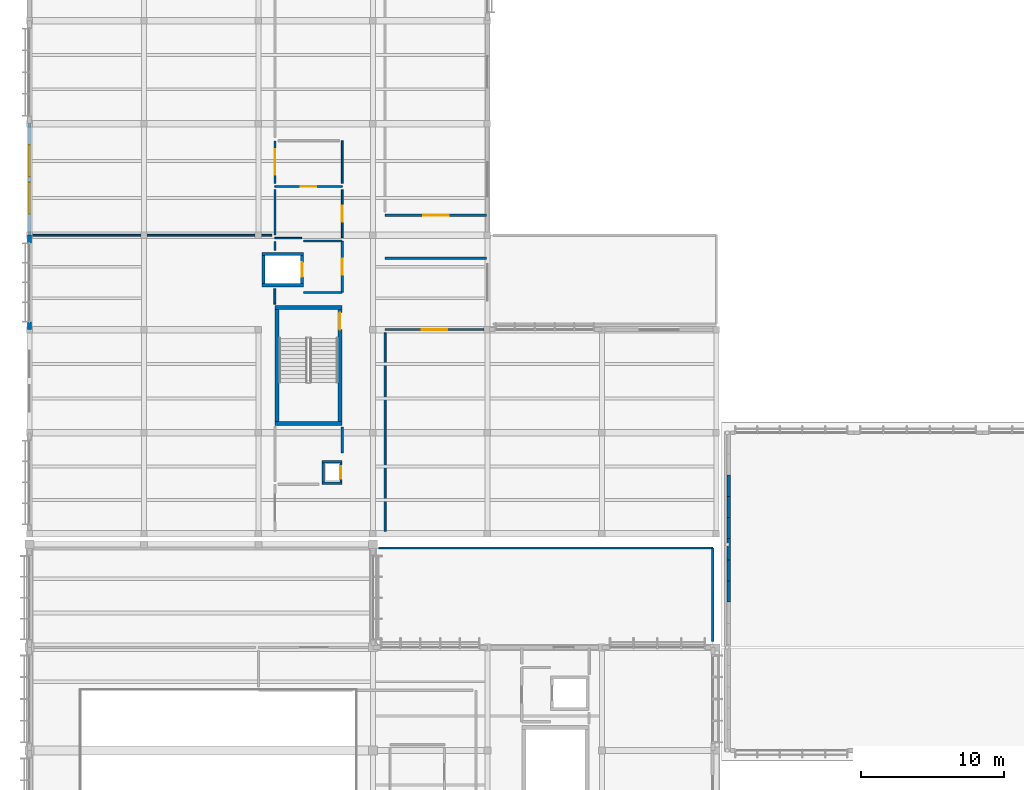
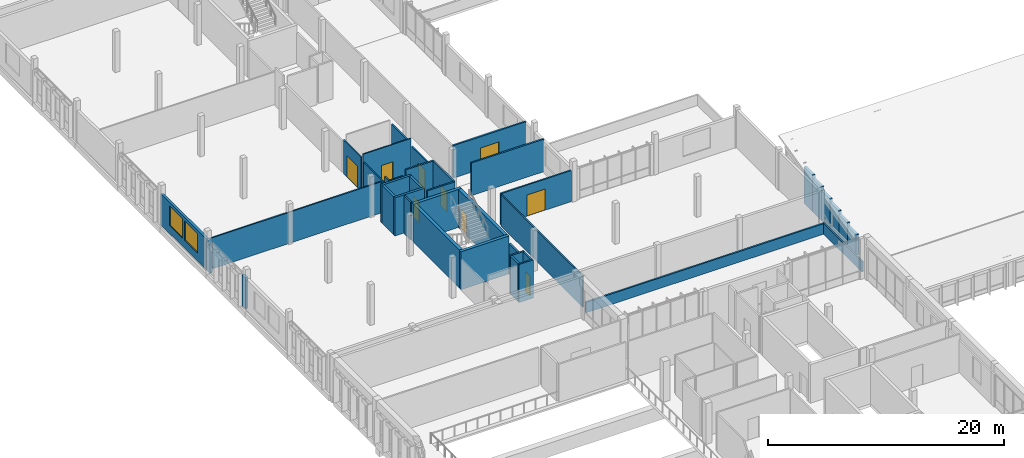
# One storey, part 162 of 182: 40 walls, 9 doors, 2 windows, 11 openings.
"""IFC4 building model written with IfcOpenShell, lengths in metres."""

from ifc_helpers import new_model, si_unit, direction, frame, frame_2d, origin, place, context, subcontext, project, spatial, rectangle, extrude, material, layer, layer_set, type_object, element, fill, save


model = new_model("IFC4")

# Units and contexts
model_context = context("Model", 3, precision=1e-05, world=origin(), true_north=direction((0.0, 1.0)))
body_context = subcontext(model_context, "Body", "Model", "MODEL_VIEW")
ifc_project = project(units=[si_unit("LENGTHUNIT", "METRE"), si_unit("AREAUNIT", "SQUARE_METRE"), si_unit("VOLUMEUNIT", "CUBIC_METRE"), si_unit("PLANEANGLEUNIT", "RADIAN"), si_unit("MASSUNIT", "GRAM", prefix="KILO")], contexts=[model_context])

# Site, building, storey
site_placement = place(None, origin())
site = spatial("IfcSite", under=ifc_project, at=site_placement, CompositionType="ELEMENT")
building_placement = place(site_placement, origin())
building = spatial("IfcBuilding", under=site, at=building_placement, Name="Chiffa Square Polytechnic", CompositionType="ELEMENT")
storey_placement = place(building_placement, frame((0.0, 0.0, 9.60009765625)))
storey = spatial("IfcBuildingStorey", under=building, at=storey_placement, Name="L02", CompositionType="ELEMENT", Elevation=9.60009765625)

# Walls
ifc_material_1 = material(Name="Concrete C40/50", Category="concrete")
ifc_layer_1 = layer(ifc_material_1, 0.300048828125, Name="Concrete C40/50")
ifc_layer_set_1 = layer_set([ifc_layer_1], Name="Concrete C40/50")
wall_type_1 = type_object("IfcWallType", Name="WL-CORE-300", PredefinedType="SHEAR", material=ifc_layer_set_1)
for number, where, z_axis, x_axis, name in (
    (1, (17.14990234375, 44.449951171875, 0.0), (0.0, 0.0, 1.0), (1.0, 0.0, 0.0), "Core or enclosure wall WC-CORE-V6A-L02-SOUTH"),
    (2, (17.14990234375, 52.550048828125, 0.0), (0.0, 0.0, 1.0), (1.0, 0.0, 0.0), "Core or enclosure wall WC-CORE-V6A-L02-NORTH"),
):
    element("IfcWall", number, at=place(storey_placement, frame(where, z_axis=z_axis, x_axis=x_axis)), inside=storey, type_object=wall_type_1, Name=name, PredefinedType="SHEAR", context=body_context, shape_type="SweptSolid", body=[
        extrude(rectangle(XDim=4.7001953125, YDim=0.300048828125, at=frame_2d((2.35009765625, 0.0))), origin(), (0.0, 0.0, 1.0), 3.93994140625),
    ])
wall_1_placement = place(storey_placement, frame((17.300048828125, 44.60009765625, 0.0), z_axis=(0.0, 0.0, 1.0), x_axis=(0.0, 1.0, 0.0)))
element("IfcWall", 3, at=wall_1_placement, inside=storey, type_object=wall_type_1, Name="Core or enclosure wall WC-CORE-V6A-L02-WEST", PredefinedType="SHEAR", context=body_context, shape_type="SweptSolid", body=[
    extrude(rectangle(XDim=7.7998046875, YDim=0.300048828125, at=frame_2d((3.89990234375, 0.0))), origin(), (0.0, 0.0, 1.0), 3.93994140625),
])

# Wall, opening, door
wall_2_placement = place(storey_placement, frame((21.699951171875, 44.60009765625, 0.0), z_axis=(0.0, 0.0, 1.0), x_axis=(0.0, 1.0, 0.0)))
wall_2 = element("IfcWall", 4, at=wall_2_placement, inside=storey, type_object=wall_type_1, Name="Core or enclosure wall WC-CORE-V6A-L02-EAST", PredefinedType="SHEAR", context=body_context, shape_type="SweptSolid", body=[
    extrude(rectangle(XDim=7.7998046875, YDim=0.300048828125, at=frame_2d((3.89990234375, 0.0))), origin(), (0.0, 0.0, 1.0), 3.93994140625),
])
opening_1_placement = place(wall_2_placement, frame((6.39990234375, 0.0, 0.0)))
opening_1 = element("IfcOpeningElement", 5, at=opening_1_placement, cuts=wall_2, Name="Opening DS-L02-049", PredefinedType="OPENING", context=body_context, shape_type="SweptSolid", body=[
    extrude(rectangle(XDim=1.199951171875, YDim=2.14990234375, at=frame_2d((0.60009765625, 1.074951171875))), frame((0.0, 0.16015625, 0.0), z_axis=(0.0, -1.0, 0.0), x_axis=(1.0, 0.0, 0.0)), (0.0, 0.0, 1.0), 0.320068359375),
])
ifc_material_2 = material(Name="Fire-rated painted steel leaf", Category="steel")
door_type_1 = type_object("IfcDoorType", Name="DR-STAIR-1200", OperationType="NOTDEFINED", PredefinedType="DOOR", material=ifc_material_2)
door_1_placement = place(opening_1_placement, origin())
door_1 = element("IfcDoor", 6, at=door_1_placement, inside=storey, type_object=door_type_1, Name="Enclosure door DS-L02-049", OperationType="SINGLE_SWING_LEFT", OverallHeight=2.14990234375, OverallWidth=1.199951171875, PredefinedType="DOOR", context=body_context, shape_type="SweptSolid", body=[
    extrude(rectangle(XDim=1.199951171875, YDim=2.14990234375, at=frame_2d((0.60009765625, 1.074951171875))), frame((0.0, 0.02490234375, 0.0), z_axis=(0.0, -1.0, 0.0), x_axis=(1.0, 0.0, 0.0)), (0.0, 0.0, 1.0), 0.050048828125),
])
fill(opening_1, door_1)

# Wall, openings, windows
ifc_material_3 = material(Name="Precast concrete C40/50", Category="concrete")
ifc_layer_2 = layer(ifc_material_3, 0.239990234375, Name="Precast concrete C40/50")
ifc_layer_set_2 = layer_set([ifc_layer_2], Name="Precast concrete C40/50")
wall_type_2 = type_object("IfcWallType", Name="WL-EXT-PC240", PredefinedType="SOLIDWALL", material=ifc_layer_set_2)
wall_3_placement = place(storey_placement, frame((0.0, 65.39990234375, 0.0), z_axis=(0.0, 0.0, 1.0), x_axis=(0.0, -1.0, 0.0)))
wall_3 = element("IfcWall", 7, at=wall_3_placement, inside=storey, type_object=wall_type_2, Name="Exterior wall WE-V6-L02-0445", PredefinedType="SOLIDWALL", context=body_context, shape_type="SweptSolid", body=[
    extrude(rectangle(XDim=7.7998046875, YDim=0.239990234375, at=frame_2d((3.89990234375, 0.0))), origin(), (0.0, 0.0, 1.0), 3.224853515625),
])
opening_2_placement = place(wall_3_placement, frame((1.5, 0.0, 0.85009765625)))
opening_2 = element("IfcOpeningElement", 8, at=opening_2_placement, cuts=wall_3, Name="Opening W-11", PredefinedType="OPENING", context=body_context, shape_type="SweptSolid", body=[
    extrude(rectangle(XDim=2.199951171875, YDim=2.0, at=frame_2d((1.10009765625, 1.0))), frame((0.0, 0.1298828125, 0.0), z_axis=(0.0, -1.0, 0.0), x_axis=(1.0, 0.0, 0.0)), (0.0, 0.0, 1.0), 0.260009765625),
])
opening_3_placement = place(wall_3_placement, frame((4.10009765625, 0.0, 0.85009765625)))
opening_3 = element("IfcOpeningElement", 9, at=opening_3_placement, cuts=wall_3, Name="Opening W-11", PredefinedType="OPENING", context=body_context, shape_type="SweptSolid", body=[
    extrude(rectangle(XDim=2.199951171875, YDim=2.0, at=frame_2d((1.10009765625, 1.0))), frame((0.0, 0.1298828125, 0.0), z_axis=(0.0, -1.0, 0.0), x_axis=(1.0, 0.0, 0.0)), (0.0, 0.0, 1.0), 0.260009765625),
])
ifc_material_4 = material(Name="Double glazing in thermally broken aluminium frame", Category="aluminium")
window_type = type_object("IfcWindowType", Name="WIN-STD-2200X2000", PartitioningType="DOUBLE_PANEL_VERTICAL", PredefinedType="WINDOW", material=ifc_material_4)
window_1_placement = place(opening_2_placement, origin())
window_1 = element("IfcWindow", 10, at=window_1_placement, inside=storey, type_object=window_type, Name="Facade window WN-L02-0297", OverallHeight=2.0, OverallWidth=2.199951171875, PartitioningType="DOUBLE_PANEL_VERTICAL", PredefinedType="WINDOW", context=body_context, shape_type="SweptSolid", body=[
    extrude(rectangle(XDim=2.199951171875, YDim=2.0, at=frame_2d((1.10009765625, 1.0))), frame((0.0, 0.030029296875, 0.0), z_axis=(0.0, -1.0, 0.0), x_axis=(1.0, 0.0, 0.0)), (0.0, 0.0, 1.0), 0.06005859375),
])
fill(opening_2, window_1)
window_2_placement = place(opening_3_placement, origin())
window_2 = element("IfcWindow", 11, at=window_2_placement, inside=storey, type_object=window_type, Name="Facade window WN-L02-0298", OverallHeight=2.0, OverallWidth=2.199951171875, PartitioningType="DOUBLE_PANEL_VERTICAL", PredefinedType="WINDOW", context=body_context, shape_type="SweptSolid", body=[
    extrude(rectangle(XDim=2.199951171875, YDim=2.0, at=frame_2d((1.10009765625, 1.0))), frame((0.0, 0.030029296875, 0.0), z_axis=(0.0, -1.0, 0.0), x_axis=(1.0, 0.0, 0.0)), (0.0, 0.0, 1.0), 0.06005859375),
])
fill(opening_3, window_2)

# Walls
ifc_layer_3 = layer(ifc_material_3, 0.260009765625, Name="Precast concrete C40/50")
ifc_layer_set_3 = layer_set([ifc_layer_3], Name="Precast concrete C40/50")
wall_type_3 = type_object("IfcWallType", Name="WL-EXT-PC260", PredefinedType="SOLIDWALL", material=ifc_layer_set_3)
for number, where, z_axis, x_axis, name in (
    (12, (0.0, 57.60009765625, 0.0), (0.0, 0.0, 1.0), (0.0, -1.0, 0.0), "Facade column pier V6-L02-0446L"),
    (13, (0.0, 51.5400390625, 0.0), (0.0, 0.0, 1.0), (0.0, -1.0, 0.0), "Facade column pier V6-L02-0446R"),
):
    element("IfcWall", number, at=place(storey_placement, frame(where, z_axis=z_axis, x_axis=x_axis)), inside=storey, type_object=wall_type_3, Name=name, PredefinedType="SOLIDWALL", context=body_context, shape_type="SweptSolid", body=[
        extrude(rectangle(XDim=0.5400390625, YDim=0.260009765625, at=frame_2d((0.27001953125, 0.0))), origin(), (0.0, 0.0, 1.0), 3.224853515625),
    ])
wall_4_placement = place(storey_placement, frame((48.85009765625, 31.9599609375, 0.0), z_axis=(0.0, 0.0, 1.0), x_axis=(0.0, 1.0, 0.0)))
element("IfcWall", 14, at=wall_4_placement, inside=storey, type_object=wall_type_3, Name="Stepped gable infill wall WE-V4-GBL-W-08", PredefinedType="SOLIDWALL", context=body_context, shape_type="SweptSolid", body=[
    extrude(rectangle(XDim=1.47998046875, YDim=0.260009765625, at=frame_2d((0.739990234375, 0.0))), origin(), (0.0, 0.0, 1.0), 2.100830078125),
])
wall_5_placement = place(storey_placement, frame((48.85009765625, 33.43994140625, 0.0), z_axis=(0.0, 0.0, 1.0), x_axis=(0.0, 1.0, 0.0)))
element("IfcWall", 15, at=wall_5_placement, inside=storey, type_object=wall_type_3, Name="Stepped gable infill wall WE-V4-GBL-W-09", PredefinedType="SOLIDWALL", context=body_context, shape_type="SweptSolid", body=[
    extrude(rectangle(XDim=1.47998046875, YDim=0.260009765625, at=frame_2d((0.739990234375, 0.0))), origin(), (0.0, 0.0, 1.0), 2.44189453125),
])
wall_6_placement = place(storey_placement, frame((48.85009765625, 34.919921875, 0.0), z_axis=(0.0, 0.0, 1.0), x_axis=(0.0, 1.0, 0.0)))
element("IfcWall", 16, at=wall_6_placement, inside=storey, type_object=wall_type_3, Name="Stepped gable infill wall WE-V4-GBL-W-10", PredefinedType="SOLIDWALL", context=body_context, shape_type="SweptSolid", body=[
    extrude(rectangle(XDim=1.47998046875, YDim=0.260009765625, at=frame_2d((0.739990234375, 0.0))), origin(), (0.0, 0.0, 1.0), 2.783935546875),
])
wall_7_placement = place(storey_placement, frame((48.85009765625, 36.39990234375, 0.0), z_axis=(0.0, 0.0, 1.0), x_axis=(0.0, 1.0, 0.0)))
element("IfcWall", 17, at=wall_7_placement, inside=storey, type_object=wall_type_3, Name="Stepped gable infill wall WE-V4-GBL-W-11", PredefinedType="SOLIDWALL", context=body_context, shape_type="SweptSolid", body=[
    extrude(rectangle(XDim=1.47998046875, YDim=0.260009765625, at=frame_2d((0.739990234375, 0.0))), origin(), (0.0, 0.0, 1.0), 3.1259765625),
])
wall_8_placement = place(storey_placement, frame((48.85009765625, 37.8798828125, 0.0), z_axis=(0.0, 0.0, 1.0), x_axis=(0.0, 1.0, 0.0)))
element("IfcWall", 18, at=wall_8_placement, inside=storey, type_object=wall_type_3, Name="Stepped gable infill wall WE-V4-GBL-W-12", PredefinedType="SOLIDWALL", context=body_context, shape_type="SweptSolid", body=[
    extrude(rectangle(XDim=1.480224609375, YDim=0.260009765625, at=frame_2d((0.740234375, 0.0))), origin(), (0.0, 0.0, 1.0), 3.468017578125),
])
wall_9_placement = place(storey_placement, frame((48.85009765625, 39.360107421875, 0.0), z_axis=(0.0, 0.0, 1.0), x_axis=(0.0, 1.0, 0.0)))
element("IfcWall", 19, at=wall_9_placement, inside=storey, type_object=wall_type_3, Name="Stepped gable infill wall WE-V4-GBL-W-13", PredefinedType="SOLIDWALL", context=body_context, shape_type="SweptSolid", body=[
    extrude(rectangle(XDim=1.47998046875, YDim=0.260009765625, at=frame_2d((0.739990234375, 0.0))), origin(), (0.0, 0.0, 1.0), 3.808837890625),
])
ifc_layer_4 = layer(ifc_material_3, 0.159912109375, Name="Precast concrete C40/50")
ifc_layer_set_4 = layer_set([ifc_layer_4], Name="Precast concrete C40/50")
wall_type_4 = type_object("IfcWallType", Name="WL-PAR-160", PredefinedType="PARAPET", material=ifc_layer_set_4)
wall_10_placement = place(storey_placement, frame((47.75, 29.199951171875, 0.2998046875), z_axis=(0.0, 0.0, 1.0), x_axis=(0.0, 1.0, 0.0)))
element("IfcWall", 20, at=wall_10_placement, inside=storey, type_object=wall_type_4, Name="Roof parapet PRP-V3-L02-1", PredefinedType="PARAPET", context=body_context, shape_type="SweptSolid", body=[
    extrude(rectangle(XDim=6.550048828125, YDim=0.159912109375, at=frame_2d((3.27490234375, 0.0))), origin(), (0.0, 0.0, 1.0), 1.10009765625),
])
wall_11_placement = place(storey_placement, frame((47.75, 35.75, 0.2998046875), z_axis=(0.0, 0.0, 1.0), x_axis=(-1.0, 0.0, 0.0)))
element("IfcWall", 21, at=wall_11_placement, inside=storey, type_object=wall_type_4, Name="Roof parapet PRP-V3-L02-2", PredefinedType="PARAPET", context=body_context, shape_type="SweptSolid", body=[
    extrude(rectangle(XDim=23.35009765625, YDim=0.159912109375, at=frame_2d((11.675048828125, 0.0))), origin(), (0.0, 0.0, 1.0), 1.10009765625),
])
ifc_material_5 = material(Name="Gypsum board on steel stud", Category="steel")
ifc_layer_5 = layer(ifc_material_5, 0.135009765625, Name="Gypsum board on steel stud")
ifc_layer_set_5 = layer_set([ifc_layer_5], Name="Gypsum board on steel stud")
wall_type_5 = type_object("IfcWallType", Name="WL-PART-135", PredefinedType="PARTITIONING", material=ifc_layer_set_5)
wall_12_placement = place(storey_placement, frame((0.054931640625, 57.60009765625, 0.0), z_axis=(0.0, 0.0, 1.0), x_axis=(1.0, 0.0, 0.0)))
element("IfcWall", 22, at=wall_12_placement, inside=storey, type_object=wall_type_5, Name="Interior partition WP-V6-L02-0454", PredefinedType="PARTITIONING", context=body_context, shape_type="SweptSolid", body=[
    extrude(rectangle(XDim=16.8759765625, YDim=0.135009765625, at=frame_2d((8.43798828125, 0.0))), origin(), (0.0, 0.0, 1.0), 3.224853515625),
])
wall_13_placement = place(storey_placement, frame((24.85009765625, 36.905029296875, 0.0), z_axis=(0.0, 0.0, 1.0), x_axis=(0.0, 1.0, 0.0)))
element("IfcWall", 23, at=wall_13_placement, inside=storey, type_object=wall_type_5, Name="Interior partition WP-V6-L02-0457", PredefinedType="PARTITIONING", context=body_context, shape_type="SweptSolid", body=[
    extrude(rectangle(XDim=13.875, YDim=0.135009765625, at=frame_2d((6.9375, 0.0))), origin(), (0.0, 0.0, 1.0), 3.224853515625),
])
wall_14_placement = place(storey_placement, frame((17.14990234375, 52.7900390625, 0.0), z_axis=(0.0, 0.0, 1.0), x_axis=(0.0, 1.0, 0.0)))
element("IfcWall", 24, at=wall_14_placement, inside=storey, type_object=wall_type_5, Name="Interior partition WP-V6-L02-0463", PredefinedType="PARTITIONING", context=body_context, shape_type="SweptSolid", body=[
    extrude(rectangle(XDim=1.080078125, YDim=0.135009765625, at=frame_2d((0.5400390625, 0.0))), origin(), (0.0, 0.0, 1.0), 3.93994140625),
])

# Wall, opening, door
ifc_layer_6 = layer(ifc_material_5, 0.14501953125, Name="Gypsum board on steel stud")
ifc_layer_set_6 = layer_set([ifc_layer_6], Name="Gypsum board on steel stud")
wall_type_6 = type_object("IfcWallType", Name="WL-PART-145", PredefinedType="PARTITIONING", material=ifc_layer_set_6)
wall_15_placement = place(storey_placement, frame((24.85009765625, 51.0, 0.0), z_axis=(0.0, 0.0, 1.0), x_axis=(1.0, 0.0, 0.0)))
wall_15 = element("IfcWall", 25, at=wall_15_placement, inside=storey, type_object=wall_type_6, Name="Interior partition WP-V6-L02-0456", PredefinedType="PARTITIONING", context=body_context, shape_type="SweptSolid", body=[
    extrude(rectangle(XDim=6.909912109375, YDim=0.14501953125, at=frame_2d((3.455078125, 0.0))), origin(), (0.0, 0.0, 1.0), 3.224853515625),
])
opening_4_placement = place(wall_15_placement, frame((2.554931640625, 0.0, 0.0)))
opening_4 = element("IfcOpeningElement", 26, at=opening_4_placement, cuts=wall_15, Name="Opening DI-L02-180", PredefinedType="OPENING", context=body_context, shape_type="SweptSolid", body=[
    extrude(rectangle(XDim=1.800048828125, YDim=2.199951171875, at=frame_2d((0.89990234375, 1.10009765625))), frame((0.0, 0.08251953125, 0.0), z_axis=(0.0, -1.0, 0.0), x_axis=(1.0, 0.0, 0.0)), (0.0, 0.0, 1.0), 0.1650390625),
])
ifc_material_6 = material(Name="Solid oak fire door pair")
door_type_2 = type_object("IfcDoorType", Name="DR-CORR-DBL-1800", OperationType="DOUBLE_DOOR_SINGLE_SWING", PredefinedType="DOOR", material=ifc_material_6)
door_2_placement = place(opening_4_placement, origin())
door_2 = element("IfcDoor", 27, at=door_2_placement, inside=storey, type_object=door_type_2, Name="Interior room door DI-L02-180", OperationType="DOUBLE_DOOR_SINGLE_SWING", OverallHeight=2.199951171875, OverallWidth=1.800048828125, PredefinedType="DOOR", context=body_context, shape_type="SweptSolid", body=[
    extrude(rectangle(XDim=1.800048828125, YDim=2.199951171875, at=frame_2d((0.89990234375, 1.10009765625))), frame((0.0, 0.02490234375, 0.0), z_axis=(0.0, -1.0, 0.0), x_axis=(1.0, 0.0, 0.0)), (0.0, 0.0, 1.0), 0.050048828125),
])
fill(opening_4, door_2)

# Walls
wall_16_placement = place(storey_placement, frame((17.14990234375, 56.530029296875, 0.0), z_axis=(0.0, 0.0, 1.0), x_axis=(0.0, 1.0, 0.0)))
element("IfcWall", 28, at=wall_16_placement, inside=storey, type_object=wall_type_6, Name="Interior partition WP-V6-L02-0462", PredefinedType="PARTITIONING", context=body_context, shape_type="SweptSolid", body=[
    extrude(rectangle(XDim=0.64990234375, YDim=0.14501953125, at=frame_2d((0.324951171875, 0.0))), origin(), (0.0, 0.0, 1.0), 3.93994140625),
])
ifc_material_7 = material(Name="Gypsum board on acoustic steel stud", Category="steel")
ifc_layer_7 = layer(ifc_material_7, 0.159912109375, Name="Gypsum board on acoustic steel stud")
ifc_layer_set_7 = layer_set([ifc_layer_7], Name="Gypsum board on acoustic steel stud")
wall_type_7 = type_object("IfcWallType", Name="WL-PART-EI60-160", PredefinedType="PARTITIONING", material=ifc_layer_set_7)
for number, where, z_axis, x_axis, name in (
    (29, (20.449951171875, 40.280029296875, 0.0), (0.0, 0.0, 1.0), (1.0, 0.0, 0.0), "Core or enclosure wall WP-RSR-V6-S-L02-SOUTH"),
    (30, (20.449951171875, 41.77001953125, 0.0), (0.0, 0.0, 1.0), (1.0, 0.0, 0.0), "Core or enclosure wall WP-RSR-V6-S-L02-NORTH"),
):
    element("IfcWall", number, at=place(storey_placement, frame(where, z_axis=z_axis, x_axis=x_axis)), inside=storey, type_object=wall_type_7, Name=name, PredefinedType="PARTITIONING", context=body_context, shape_type="SweptSolid", body=[
        extrude(rectangle(XDim=1.400146484375, YDim=0.159912109375, at=frame_2d((0.7001953125, 0.0))), origin(), (0.0, 0.0, 1.0), 3.93994140625),
    ])
wall_17_placement = place(storey_placement, frame((20.530029296875, 40.360107421875, 0.0), z_axis=(0.0, 0.0, 1.0), x_axis=(0.0, 1.0, 0.0)))
element("IfcWall", 31, at=wall_17_placement, inside=storey, type_object=wall_type_7, Name="Core or enclosure wall WP-RSR-V6-S-L02-WEST", PredefinedType="PARTITIONING", context=body_context, shape_type="SweptSolid", body=[
    extrude(rectangle(XDim=1.329833984375, YDim=0.159912109375, at=frame_2d((0.6650390625, 0.0))), origin(), (0.0, 0.0, 1.0), 3.93994140625),
])

# Wall, opening, door
wall_18_placement = place(storey_placement, frame((21.77001953125, 40.360107421875, 0.0), z_axis=(0.0, 0.0, 1.0), x_axis=(0.0, 1.0, 0.0)))
wall_18 = element("IfcWall", 32, at=wall_18_placement, inside=storey, type_object=wall_type_7, Name="Core or enclosure wall WP-RSR-V6-S-L02-EAST", PredefinedType="PARTITIONING", context=body_context, shape_type="SweptSolid", body=[
    extrude(rectangle(XDim=1.329833984375, YDim=0.159912109375, at=frame_2d((0.6650390625, 0.0))), origin(), (0.0, 0.0, 1.0), 3.93994140625),
])
opening_5_placement = place(wall_18_placement, frame((0.239990234375, 0.0, 0.0)))
opening_5 = element("IfcOpeningElement", 33, at=opening_5_placement, cuts=wall_18, Name="Opening DI-L02-R20", PredefinedType="OPENING", context=body_context, shape_type="SweptSolid", body=[
    extrude(rectangle(XDim=0.85009765625, YDim=2.02001953125, at=frame_2d((0.425048828125, 1.010009765625))), frame((0.0, 0.08984375, 0.0), z_axis=(0.0, -1.0, 0.0), x_axis=(1.0, 0.0, 0.0)), (0.0, 0.0, 1.0), 0.179931640625),
])
ifc_material_8 = material(Name="Fire-rated steel riser access door", Category="steel")
door_type_3 = type_object("IfcDoorType", Name="DR-RISER-850", OperationType="NOTDEFINED", PredefinedType="DOOR", material=ifc_material_8)
door_3_placement = place(opening_5_placement, origin())
door_3 = element("IfcDoor", 34, at=door_3_placement, inside=storey, type_object=door_type_3, Name="Enclosure door DI-L02-R20", OperationType="SINGLE_SWING_RIGHT", OverallHeight=2.02001953125, OverallWidth=0.85009765625, PredefinedType="DOOR", context=body_context, shape_type="SweptSolid", body=[
    extrude(rectangle(XDim=0.85009765625, YDim=2.02001953125, at=frame_2d((0.425048828125, 1.010009765625))), frame((0.0, 0.02490234375, 0.0), z_axis=(0.0, -1.0, 0.0), x_axis=(1.0, 0.0, 0.0)), (0.0, 0.0, 1.0), 0.050048828125),
])
fill(opening_5, door_3)

# Walls
for number, where, z_axis, x_axis, name in (
    (35, (19.14990234375, 53.60009765625, 0.0), (0.0, 0.0, 1.0), (1.0, 0.0, 0.0), "Lift lobby rated enclosure WP-LOB-LP-V6A-L02-SOUTH"),
    (36, (19.14990234375, 57.199951171875, 0.0), (0.0, 0.0, 1.0), (1.0, 0.0, 0.0), "Lift lobby rated enclosure WP-LOB-LP-V6A-L02-NORTH"),
):
    element("IfcWall", number, at=place(storey_placement, frame(where, z_axis=z_axis, x_axis=x_axis)), inside=storey, type_object=wall_type_7, Name=name, PredefinedType="PARTITIONING", context=body_context, shape_type="SweptSolid", body=[
        extrude(rectangle(XDim=2.7001953125, YDim=0.159912109375, at=frame_2d((1.35009765625, 0.0))), origin(), (0.0, 0.0, 1.0), 3.93994140625),
    ])

# Wall, opening, door
wall_19_placement = place(storey_placement, frame((21.85009765625, 53.60009765625, 0.0), z_axis=(0.0, 0.0, 1.0), x_axis=(0.0, 1.0, 0.0)))
wall_19 = element("IfcWall", 37, at=wall_19_placement, inside=storey, type_object=wall_type_7, Name="Lift lobby rated enclosure WP-LOB-LP-V6A-L02-EAST", PredefinedType="PARTITIONING", context=body_context, shape_type="SweptSolid", body=[
    extrude(rectangle(XDim=3.599853515625, YDim=0.159912109375, at=frame_2d((1.7998046875, 0.0))), origin(), (0.0, 0.0, 1.0), 3.93994140625),
])
opening_6_placement = place(wall_19_placement, frame((1.25, 0.0, 0.0)))
opening_6 = element("IfcOpeningElement", 38, at=opening_6_placement, cuts=wall_19, Name="Opening DI-L02-046", PredefinedType="OPENING", context=body_context, shape_type="SweptSolid", body=[
    extrude(rectangle(XDim=1.10009765625, YDim=2.14990234375, at=frame_2d((0.550048828125, 1.074951171875))), frame((0.0, 0.08984375, 0.0), z_axis=(0.0, -1.0, 0.0), x_axis=(1.0, 0.0, 0.0)), (0.0, 0.0, 1.0), 0.179931640625),
])
ifc_material_9 = material(Name="Solid core ash veneer door")
door_type_4 = type_object("IfcDoorType", Name="DR-INT-1100", OperationType="NOTDEFINED", PredefinedType="DOOR", material=ifc_material_9)
door_4_placement = place(opening_6_placement, origin())
door_4 = element("IfcDoor", 39, at=door_4_placement, inside=storey, type_object=door_type_4, Name="Lift lobby fire door DI-L02-046", OperationType="SINGLE_SWING_LEFT", OverallHeight=2.14990234375, OverallWidth=1.10009765625, PredefinedType="DOOR", context=body_context, shape_type="SweptSolid", body=[
    extrude(rectangle(XDim=1.10009765625, YDim=2.14990234375, at=frame_2d((0.550048828125, 1.074951171875))), frame((0.0, 0.02490234375, 0.0), z_axis=(0.0, -1.0, 0.0), x_axis=(1.0, 0.0, 0.0)), (0.0, 0.0, 1.0), 0.050048828125),
])
fill(opening_6, door_4)

wall_20_placement = place(storey_placement, frame((24.85009765625, 59.0, 0.0), z_axis=(0.0, 0.0, 1.0), x_axis=(1.0, 0.0, 0.0)))
wall_20 = element("IfcWall", 40, at=wall_20_placement, inside=storey, type_object=wall_type_7, Name="Interior partition WP-V6-L02-0440", PredefinedType="PARTITIONING", context=body_context, shape_type="SweptSolid", body=[
    extrude(rectangle(XDim=7.094970703125, YDim=0.159912109375, at=frame_2d((3.54736328125, 0.0))), origin(), (0.0, 0.0, 1.0), 3.375),
])
opening_7_placement = place(wall_20_placement, frame((2.64697265625, 0.0, 0.0)))
opening_7 = element("IfcOpeningElement", 41, at=opening_7_placement, cuts=wall_20, Name="Opening DI-L02-177", PredefinedType="OPENING", context=body_context, shape_type="SweptSolid", body=[
    extrude(rectangle(XDim=1.800048828125, YDim=2.199951171875, at=frame_2d((0.89990234375, 1.10009765625))), frame((0.0, 0.08984375, 0.0), z_axis=(0.0, -1.0, 0.0), x_axis=(1.0, 0.0, 0.0)), (0.0, 0.0, 1.0), 0.179931640625),
])
door_5_placement = place(opening_7_placement, origin())
door_5 = element("IfcDoor", 42, at=door_5_placement, inside=storey, type_object=door_type_2, Name="Interior room door DI-L02-177", OperationType="DOUBLE_DOOR_SINGLE_SWING", OverallHeight=2.199951171875, OverallWidth=1.800048828125, PredefinedType="DOOR", context=body_context, shape_type="SweptSolid", body=[
    extrude(rectangle(XDim=1.800048828125, YDim=2.199951171875, at=frame_2d((0.89990234375, 1.10009765625))), frame((0.0, 0.02490234375, 0.0), z_axis=(0.0, -1.0, 0.0), x_axis=(1.0, 0.0, 0.0)), (0.0, 0.0, 1.0), 0.050048828125),
])
fill(opening_7, door_5)

# Walls
wall_21_placement = place(storey_placement, frame((21.85009765625, 42.37109375, 0.0), z_axis=(0.0, 0.0, 1.0), x_axis=(0.0, 1.0, 0.0)))
element("IfcWall", 43, at=wall_21_placement, inside=storey, type_object=wall_type_7, Name="Interior partition WP-V6-L02-0499", PredefinedType="PARTITIONING", context=body_context, shape_type="SweptSolid", body=[
    extrude(rectangle(XDim=1.8388671875, YDim=0.159912109375, at=frame_2d((0.91943359375, 0.0))), origin(), (0.0, 0.0, 1.0), 3.224853515625),
])
wall_22_placement = place(storey_placement, frame((24.85009765625, 56.0, 0.0), z_axis=(0.0, 0.0, 1.0), x_axis=(1.0, 0.0, 0.0)))
element("IfcWall", 44, at=wall_22_placement, inside=storey, type_object=wall_type_7, Name="Interior partition WP-V6-L02-0502", PredefinedType="PARTITIONING", context=body_context, shape_type="SweptSolid", body=[
    extrude(rectangle(XDim=7.094970703125, YDim=0.159912109375, at=frame_2d((3.54736328125, 0.0))), origin(), (0.0, 0.0, 1.0), 3.375),
])

# Wall, opening, door
ifc_material_10 = material(Name="Moisture-resistant board partition")
ifc_layer_8 = layer(ifc_material_10, 0.1201171875, Name="Moisture-resistant board partition")
ifc_layer_set_8 = layer_set([ifc_layer_8], Name="Moisture-resistant board partition")
wall_type_8 = type_object("IfcWallType", Name="WL-PART-WC-120", PredefinedType="PARTITIONING", material=ifc_layer_set_8)
wall_23_placement = place(storey_placement, frame((17.14990234375, 61.0, 0.0), z_axis=(0.0, 0.0, 1.0), x_axis=(1.0, 0.0, 0.0)))
wall_23 = element("IfcWall", 45, at=wall_23_placement, inside=storey, type_object=wall_type_8, Name="Interior partition WP-V6-L02-0398", PredefinedType="PARTITIONING", context=body_context, shape_type="SweptSolid", body=[
    extrude(rectangle(XDim=4.7001953125, YDim=0.1201171875, at=frame_2d((2.35009765625, 0.0))), origin(), (0.0, 0.0, 1.0), 3.93994140625),
])
opening_8_placement = place(wall_23_placement, frame((1.800048828125, 0.0, 0.0)))
opening_8 = element("IfcOpeningElement", 46, at=opening_8_placement, cuts=wall_23, Name="Opening DI-L02-161", PredefinedType="OPENING", context=body_context, shape_type="SweptSolid", body=[
    extrude(rectangle(XDim=1.10009765625, YDim=2.14990234375, at=frame_2d((0.550048828125, 1.074951171875))), frame((0.0, 0.070068359375, 0.0), z_axis=(0.0, -1.0, 0.0), x_axis=(1.0, 0.0, 0.0)), (0.0, 0.0, 1.0), 0.14013671875),
])
door_6_placement = place(opening_8_placement, origin())
door_6 = element("IfcDoor", 47, at=door_6_placement, inside=storey, type_object=door_type_4, Name="Interior room door DI-L02-161", OperationType="SINGLE_SWING_RIGHT", OverallHeight=2.14990234375, OverallWidth=1.10009765625, PredefinedType="DOOR", context=body_context, shape_type="SweptSolid", body=[
    extrude(rectangle(XDim=1.10009765625, YDim=2.14990234375, at=frame_2d((0.550048828125, 1.074951171875))), frame((0.0, 0.02490234375, 0.0), z_axis=(0.0, -1.0, 0.0), x_axis=(1.0, 0.0, 0.0)), (0.0, 0.0, 1.0), 0.050048828125),
])
fill(opening_8, door_6)

# Wall
wall_24_placement = place(storey_placement, frame((21.85009765625, 61.219970703125, 0.0), z_axis=(0.0, 0.0, 1.0), x_axis=(0.0, 1.0, 0.0)))
element("IfcWall", 48, at=wall_24_placement, inside=storey, type_object=wall_type_8, Name="Interior partition WP-V6-L02-0399", PredefinedType="PARTITIONING", context=body_context, shape_type="SweptSolid", body=[
    extrude(rectangle(XDim=2.97998046875, YDim=0.1201171875, at=frame_2d((1.489990234375, 0.0))), origin(), (0.0, 0.0, 1.0), 3.48486328125),
])

# Wall, opening, door
wall_25_placement = place(storey_placement, frame((17.14990234375, 61.219970703125, 0.0), z_axis=(0.0, 0.0, 1.0), x_axis=(0.0, 1.0, 0.0)))
wall_25 = element("IfcWall", 49, at=wall_25_placement, inside=storey, type_object=wall_type_8, Name="Interior partition WP-V6-L02-0400", PredefinedType="PARTITIONING", context=body_context, shape_type="SweptSolid", body=[
    extrude(rectangle(XDim=2.97998046875, YDim=0.1201171875, at=frame_2d((1.489990234375, 0.0))), origin(), (0.0, 0.0, 1.0), 3.48486328125),
])
opening_9_placement = place(wall_25_placement, frame((0.590087890625, 0.0, 0.0)))
opening_9 = element("IfcOpeningElement", 50, at=opening_9_placement, cuts=wall_25, Name="Opening DI-L02-162", PredefinedType="OPENING", context=body_context, shape_type="SweptSolid", body=[
    extrude(rectangle(XDim=1.800048828125, YDim=2.199951171875, at=frame_2d((0.89990234375, 1.10009765625))), frame((0.0, 0.070068359375, 0.0), z_axis=(0.0, -1.0, 0.0), x_axis=(1.0, 0.0, 0.0)), (0.0, 0.0, 1.0), 0.14013671875),
])
door_7_placement = place(opening_9_placement, origin())
door_7 = element("IfcDoor", 51, at=door_7_placement, inside=storey, type_object=door_type_2, Name="Interior room door DI-L02-162", OperationType="DOUBLE_DOOR_SINGLE_SWING", OverallHeight=2.199951171875, OverallWidth=1.800048828125, PredefinedType="DOOR", context=body_context, shape_type="SweptSolid", body=[
    extrude(rectangle(XDim=1.800048828125, YDim=2.199951171875, at=frame_2d((0.89990234375, 1.10009765625))), frame((0.0, 0.02490234375, 0.0), z_axis=(0.0, -1.0, 0.0), x_axis=(1.0, 0.0, 0.0)), (0.0, 0.0, 1.0), 0.050048828125),
])
fill(opening_9, door_7)

wall_26_placement = place(storey_placement, frame((21.85009765625, 57.43994140625, 0.0), z_axis=(0.0, 0.0, 1.0), x_axis=(0.0, 1.0, 0.0)))
wall_26 = element("IfcWall", 52, at=wall_26_placement, inside=storey, type_object=wall_type_8, Name="Interior partition WP-V6-L02-0402", PredefinedType="PARTITIONING", context=body_context, shape_type="SweptSolid", body=[
    extrude(rectangle(XDim=3.340087890625, YDim=0.1201171875, at=frame_2d((1.669921875, 0.0))), origin(), (0.0, 0.0, 1.0), 3.224853515625),
])
opening_10_placement = place(wall_26_placement, frame((1.1201171875, 0.0, 0.0)))
opening_10 = element("IfcOpeningElement", 53, at=opening_10_placement, cuts=wall_26, Name="Opening DI-L02-163", PredefinedType="OPENING", context=body_context, shape_type="SweptSolid", body=[
    extrude(rectangle(XDim=1.10009765625, YDim=2.14990234375, at=frame_2d((0.550048828125, 1.074951171875))), frame((0.0, 0.070068359375, 0.0), z_axis=(0.0, -1.0, 0.0), x_axis=(1.0, 0.0, 0.0)), (0.0, 0.0, 1.0), 0.14013671875),
])
door_8_placement = place(opening_10_placement, origin())
door_8 = element("IfcDoor", 54, at=door_8_placement, inside=storey, type_object=door_type_4, Name="Interior room door DI-L02-163", OperationType="SINGLE_SWING_LEFT", OverallHeight=2.14990234375, OverallWidth=1.10009765625, PredefinedType="DOOR", context=body_context, shape_type="SweptSolid", body=[
    extrude(rectangle(XDim=1.10009765625, YDim=2.14990234375, at=frame_2d((0.550048828125, 1.074951171875))), frame((0.0, 0.02490234375, 0.0), z_axis=(0.0, -1.0, 0.0), x_axis=(1.0, 0.0, 0.0)), (0.0, 0.0, 1.0), 0.050048828125),
])
fill(opening_10, door_8)

# Walls
wall_27_placement = place(storey_placement, frame((17.14990234375, 57.39990234375, 0.0), z_axis=(0.0, 0.0, 1.0), x_axis=(1.0, 0.0, 0.0)))
element("IfcWall", 55, at=wall_27_placement, inside=storey, type_object=wall_type_8, Name="Interior partition WP-V6-L02-0403", PredefinedType="PARTITIONING", context=body_context, shape_type="SweptSolid", body=[
    extrude(rectangle(XDim=1.8671875, YDim=0.1201171875, at=frame_2d((0.93359375, 0.0))), origin(), (0.0, 0.0, 1.0), 3.224853515625),
])
wall_28_placement = place(storey_placement, frame((17.14990234375, 57.6201171875, 0.0), z_axis=(0.0, 0.0, 1.0), x_axis=(0.0, 1.0, 0.0)))
element("IfcWall", 56, at=wall_28_placement, inside=storey, type_object=wall_type_8, Name="Interior partition WP-V6-L02-0404", PredefinedType="PARTITIONING", context=body_context, shape_type="SweptSolid", body=[
    extrude(rectangle(XDim=3.159912109375, YDim=0.1201171875, at=frame_2d((1.580078125, 0.0))), origin(), (0.0, 0.0, 1.0), 3.224853515625),
])
ifc_material_11 = material(Name="Concrete C35/45", Category="concrete")
ifc_layer_9 = layer(ifc_material_11, 0.219970703125, Name="Concrete C35/45")
ifc_layer_set_9 = layer_set([ifc_layer_9], Name="Concrete C35/45")
wall_type_9 = type_object("IfcWallType", Name="WL-SHAFT-220", PredefinedType="SHEAR", material=ifc_layer_set_9)
for number, where, z_axis, x_axis, name in (
    (57, (16.25, 54.110107421875, 0.0), (0.0, 0.0, 1.0), (1.0, 0.0, 0.0), "Core or enclosure wall WS-LP-V6A-L02-SOUTH"),
    (58, (16.25, 56.2900390625, 0.0), (0.0, 0.0, 1.0), (1.0, 0.0, 0.0), "Core or enclosure wall WS-LP-V6A-L02-NORTH"),
):
    element("IfcWall", number, at=place(storey_placement, frame(where, z_axis=z_axis, x_axis=x_axis)), inside=storey, type_object=wall_type_9, Name=name, PredefinedType="SHEAR", context=body_context, shape_type="SweptSolid", body=[
        extrude(rectangle(XDim=2.89990234375, YDim=0.219970703125, at=frame_2d((1.449951171875, 0.0))), origin(), (0.0, 0.0, 1.0), 3.93994140625),
    ])
wall_29_placement = place(storey_placement, frame((16.360107421875, 54.219970703125, 0.0), z_axis=(0.0, 0.0, 1.0), x_axis=(0.0, 1.0, 0.0)))
element("IfcWall", 59, at=wall_29_placement, inside=storey, type_object=wall_type_9, Name="Core or enclosure wall WS-LP-V6A-L02-WEST", PredefinedType="SHEAR", context=body_context, shape_type="SweptSolid", body=[
    extrude(rectangle(XDim=1.9599609375, YDim=0.219970703125, at=frame_2d((0.97998046875, 0.0))), origin(), (0.0, 0.0, 1.0), 3.93994140625),
])

# Wall, opening, door
wall_30_placement = place(storey_placement, frame((19.0400390625, 54.219970703125, 0.0), z_axis=(0.0, 0.0, 1.0), x_axis=(0.0, 1.0, 0.0)))
wall_30 = element("IfcWall", 60, at=wall_30_placement, inside=storey, type_object=wall_type_9, Name="Core or enclosure wall WS-LP-V6A-L02-EAST", PredefinedType="SHEAR", context=body_context, shape_type="SweptSolid", body=[
    extrude(rectangle(XDim=1.9599609375, YDim=0.219970703125, at=frame_2d((0.97998046875, 0.0))), origin(), (0.0, 0.0, 1.0), 3.93994140625),
])
opening_11_placement = place(wall_30_placement, frame((0.47998046875, 0.0, 0.0)))
opening_11 = element("IfcOpeningElement", 61, at=opening_11_placement, cuts=wall_30, Name="Opening LD-LP-V6A-L02", PredefinedType="OPENING", context=body_context, shape_type="SweptSolid", body=[
    extrude(rectangle(XDim=1.0, YDim=2.14990234375, at=frame_2d((0.5, 1.074951171875))), frame((0.0, 0.1201171875, 0.0), z_axis=(0.0, -1.0, 0.0), x_axis=(1.0, 0.0, 0.0)), (0.0, 0.0, 1.0), 0.239990234375),
])
ifc_material_12 = material(Name="Brushed stainless steel sliding landing door", Category="steel")
door_type_5 = type_object("IfcDoorType", Name="DR-LIFT-1000", OperationType="SLIDING_TO_RIGHT", PredefinedType="DOOR", material=ifc_material_12)
door_9_placement = place(opening_11_placement, origin())
door_9 = element("IfcDoor", 62, at=door_9_placement, inside=storey, type_object=door_type_5, Name="Enclosure door LD-LP-V6A-L02", OperationType="SLIDING_TO_LEFT", OverallHeight=2.14990234375, OverallWidth=1.0, PredefinedType="DOOR", context=body_context, shape_type="SweptSolid", body=[
    extrude(rectangle(XDim=1.0, YDim=2.14990234375, at=frame_2d((0.5, 1.074951171875))), frame((0.0, 0.02490234375, 0.0), z_axis=(0.0, -1.0, 0.0), x_axis=(1.0, 0.0, 0.0)), (0.0, 0.0, 1.0), 0.050048828125),
])
fill(opening_11, door_9)

save(model, "model.ifc")
